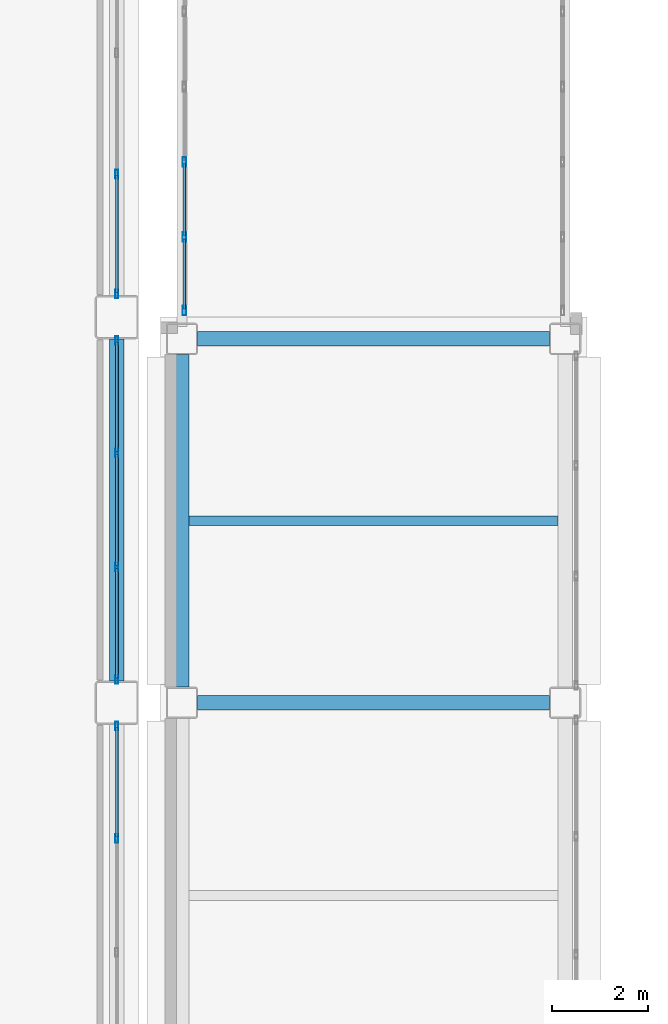
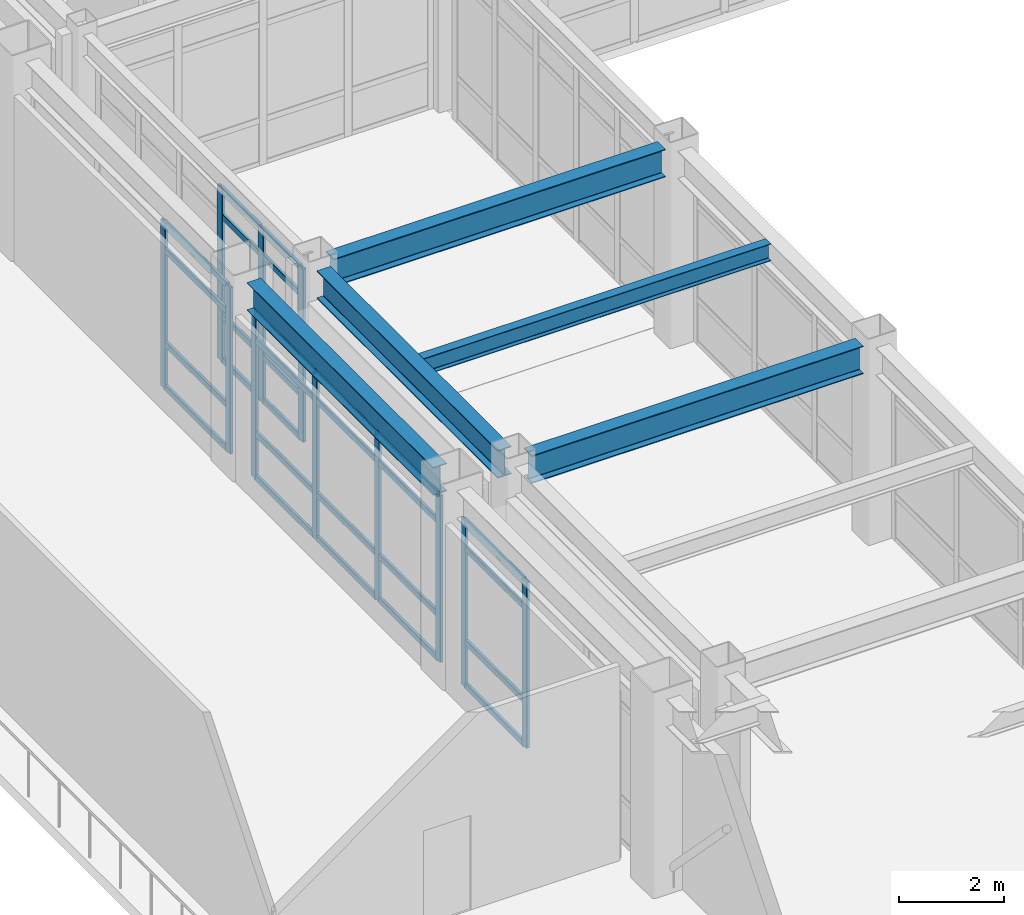
# One storey, part 64 of 172: 39 members, 5 beams, 4 elements without a shape of their own.
"""IFC4 building model written with IfcOpenShell, lengths in metres."""

from ifc_helpers import new_model, si_unit, direction, frame, origin, origin_2d, place, context, subcontext, project, spatial, hollow_rectangle, i_section, extrude, material, layer, layer_set, material_profile, profile_set, type_object, element, aggregate, save


model = new_model("IFC4")

# Units and contexts
model_context = context("Model", 3, precision=1e-05, world=origin(), true_north=direction((0.0, 1.0)))
body_context = subcontext(model_context, "Body", "Model", "MODEL_VIEW")
ifc_project = project(units=[si_unit("LENGTHUNIT", "METRE"), si_unit("AREAUNIT", "SQUARE_METRE"), si_unit("VOLUMEUNIT", "CUBIC_METRE"), si_unit("PLANEANGLEUNIT", "RADIAN"), si_unit("MASSUNIT", "GRAM", prefix="KILO")], contexts=[model_context])

# Site, building, storey
site_placement = place(None, origin())
site = spatial("IfcSite", under=ifc_project, at=site_placement, CompositionType="ELEMENT")
building_placement = place(site_placement, origin())
building = spatial("IfcBuilding", under=site, at=building_placement, Name="Kazehara Bluff Congress Hotel", CompositionType="ELEMENT")
storey_placement = place(building_placement, frame((0.0, 0.0, 5.39990234375)))
storey = spatial("IfcBuildingStorey", under=building, at=storey_placement, Name="L01", CompositionType="ELEMENT", Elevation=5.39990234375)

# Curtain wall, members
ifc_material_1 = material(Name="Anodised aluminium", Category="aluminium")
ifc_layer_1 = layer(ifc_material_1, 0.159912109375)
ifc_layer_set_1 = layer_set([ifc_layer_1], Name="Anodised aluminium")
curtain_wall_type_1 = type_object("IfcCurtainWallType", Name="TP-CW-20", PredefinedType="NOTDEFINED", material=ifc_layer_set_1)
curtain_wall_1_placement = place(storey_placement, origin())
curtain_wall_1 = element("IfcCurtainWall", 1, at=curtain_wall_1_placement, inside=storey, type_object=curtain_wall_type_1, Name="L01 curtain wall CW-20 CW-V1-L01-X5835-5690", PredefinedType="NOTDEFINED")
ifc_material_2 = material(Name="Anodised aluminium", Category="aluminium")
ifc_material_profile_1 = material_profile(ifc_material_2, hollow_rectangle(XDim=0.06494140625, YDim=0.179931640625, WallThickness=0.00390625, InnerFilletRadius=0.00390625, OuterFilletRadius=0.008056640625, at=origin_2d()))
ifc_profile_set_1 = profile_set([ifc_material_profile_1], Name="Anodised aluminium")
member_type_1 = type_object("IfcMemberType", Name="TP-CWM-02", PredefinedType="MULLION", material=ifc_profile_set_1)
member_1_placement = place(storey_placement, frame((58.35009765625, 61.63330078125, 0.0), z_axis=(0.0, 0.0, 1.0), x_axis=(-1.0, 0.0, 0.0)))
member_1 = element("IfcMember", 2, at=member_1_placement, type_object=member_type_1, Name="CW-20 mullion 3", PredefinedType="MULLION", context=body_context, shape_type="SweptSolid", body=[
    extrude(hollow_rectangle(XDim=0.06494140625, YDim=0.179931640625, WallThickness=0.00390625, InnerFilletRadius=0.00390625, OuterFilletRadius=0.008056640625, at=origin_2d()), origin(), (0.0, 0.0, 1.0), 3.875),
])
member_2_placement = place(storey_placement, frame((58.35009765625, 63.967529296875, 0.0), z_axis=(0.0, 0.0, 1.0), x_axis=(-1.0, 0.0, 0.0)))
member_2 = element("IfcMember", 3, at=member_2_placement, type_object=member_type_1, Name="CW-20 mullion 4", PredefinedType="MULLION", context=body_context, shape_type="SweptSolid", body=[
    extrude(hollow_rectangle(XDim=0.06494140625, YDim=0.179931640625, WallThickness=0.00390625, InnerFilletRadius=0.00390625, OuterFilletRadius=0.008056640625, at=origin_2d()), origin(), (0.0, 0.0, 1.0), 3.875),
])

curtain_wall_2_placement = place(storey_placement, origin())
curtain_wall_2 = element("IfcCurtainWall", 4, at=curtain_wall_2_placement, inside=storey, type_object=curtain_wall_type_1, Name="L01 curtain wall CW-20 CW-V1-L01-X5835-6490", PredefinedType="NOTDEFINED")
member_3_placement = place(storey_placement, frame((58.35009765625, 64.9326171875, 0.0), z_axis=(0.0, 0.0, 1.0), x_axis=(-1.0, 0.0, 0.0)))
member_3 = element("IfcMember", 5, at=member_3_placement, type_object=member_type_1, Name="CW-20 mullion 1", PredefinedType="MULLION", context=body_context, shape_type="SweptSolid", body=[
    extrude(hollow_rectangle(XDim=0.06494140625, YDim=0.179931640625, WallThickness=0.00390625, InnerFilletRadius=0.00390625, OuterFilletRadius=0.008056640625, at=origin_2d()), origin(), (0.0, 0.0, 1.0), 3.875),
])
member_4_placement = place(storey_placement, frame((58.35009765625, 67.2666015625, 0.0), z_axis=(0.0, 0.0, 1.0), x_axis=(-1.0, 0.0, 0.0)))
member_4 = element("IfcMember", 6, at=member_4_placement, type_object=member_type_1, Name="CW-20 mullion 2", PredefinedType="MULLION", context=body_context, shape_type="SweptSolid", body=[
    extrude(hollow_rectangle(XDim=0.06494140625, YDim=0.179931640625, WallThickness=0.00390625, InnerFilletRadius=0.00390625, OuterFilletRadius=0.008056640625, at=origin_2d()), origin(), (0.0, 0.0, 1.0), 3.875),
])
member_5_placement = place(storey_placement, frame((58.35009765625, 69.63330078125, 0.0), z_axis=(0.0, 0.0, 1.0), x_axis=(-1.0, 0.0, 0.0)))
member_5 = element("IfcMember", 7, at=member_5_placement, type_object=member_type_1, Name="CW-20 mullion 3", PredefinedType="MULLION", context=body_context, shape_type="SweptSolid", body=[
    extrude(hollow_rectangle(XDim=0.06494140625, YDim=0.179931640625, WallThickness=0.00390625, InnerFilletRadius=0.00390625, OuterFilletRadius=0.008056640625, at=origin_2d()), origin(), (0.0, 0.0, 1.0), 3.875),
])
member_6_placement = place(storey_placement, frame((58.35009765625, 71.967529296875, 0.0), z_axis=(0.0, 0.0, 1.0), x_axis=(-1.0, 0.0, 0.0)))
member_6 = element("IfcMember", 8, at=member_6_placement, type_object=member_type_1, Name="CW-20 mullion 4", PredefinedType="MULLION", context=body_context, shape_type="SweptSolid", body=[
    extrude(hollow_rectangle(XDim=0.06494140625, YDim=0.179931640625, WallThickness=0.00390625, InnerFilletRadius=0.00390625, OuterFilletRadius=0.008056640625, at=origin_2d()), origin(), (0.0, 0.0, 1.0), 3.875),
])

ifc_material_3 = material(Name="Anodised aluminium", Category="aluminium")
ifc_layer_2 = layer(ifc_material_3, 0.159912109375)
ifc_layer_set_2 = layer_set([ifc_layer_2], Name="Anodised aluminium")
curtain_wall_type_2 = type_object("IfcCurtainWallType", Name="TP-CW-21", PredefinedType="NOTDEFINED", material=ifc_layer_set_2)
curtain_wall_3_placement = place(storey_placement, origin())
curtain_wall_3 = element("IfcCurtainWall", 9, at=curtain_wall_3_placement, inside=storey, type_object=curtain_wall_type_2, Name="L01 curtain wall CW-21 CW-V1-L01-X5835-7290", PredefinedType="NOTDEFINED")
member_7_placement = place(storey_placement, frame((58.35009765625, 72.9326171875, 0.0), z_axis=(0.0, 0.0, 1.0), x_axis=(-1.0, 0.0, 0.0)))
member_7 = element("IfcMember", 10, at=member_7_placement, type_object=member_type_1, Name="CW-21 mullion 1", PredefinedType="MULLION", context=body_context, shape_type="SweptSolid", body=[
    extrude(hollow_rectangle(XDim=0.06494140625, YDim=0.179931640625, WallThickness=0.00390625, InnerFilletRadius=0.00390625, OuterFilletRadius=0.008056640625, at=origin_2d()), origin(), (0.0, 0.0, 1.0), 3.875),
])
member_8_placement = place(storey_placement, frame((58.35009765625, 75.416748046875, 0.0), z_axis=(0.0, 0.0, 1.0), x_axis=(-1.0, 0.0, 0.0)))
member_8 = element("IfcMember", 11, at=member_8_placement, type_object=member_type_1, Name="CW-21 mullion 2", PredefinedType="MULLION", context=body_context, shape_type="SweptSolid", body=[
    extrude(hollow_rectangle(XDim=0.06494140625, YDim=0.179931640625, WallThickness=0.00390625, InnerFilletRadius=0.00390625, OuterFilletRadius=0.008056640625, at=origin_2d()), origin(), (0.0, 0.0, 1.0), 3.875),
])

ifc_material_4 = material(Name="Anodised aluminium", Category="aluminium")
ifc_layer_3 = layer(ifc_material_4, 0.159912109375)
ifc_layer_set_3 = layer_set([ifc_layer_3], Name="Anodised aluminium")
curtain_wall_type_3 = type_object("IfcCurtainWallType", Name="TP-CW-02", PredefinedType="NOTDEFINED", material=ifc_layer_set_3)
curtain_wall_4_placement = place(storey_placement, origin())
curtain_wall_4 = element("IfcCurtainWall", 12, at=curtain_wall_4_placement, inside=storey, type_object=curtain_wall_type_3, Name="L01 curtain wall CW-02 CW-BRG-34-L01-A", PredefinedType="NOTDEFINED")
ifc_material_5 = material(Name="Anodised aluminium", Category="aluminium")
ifc_material_profile_2 = material_profile(ifc_material_5, hollow_rectangle(XDim=0.070068359375, YDim=0.199951171875, WallThickness=0.0048828125, InnerFilletRadius=0.0048828125, OuterFilletRadius=0.010009765625, at=origin_2d()))
ifc_profile_set_2 = profile_set([ifc_material_profile_2], Name="Anodised aluminium")
member_type_2 = type_object("IfcMemberType", Name="TP-CWM-03", PredefinedType="MULLION", material=ifc_profile_set_2)
member_9_placement = place(storey_placement, frame((59.75, 72.5849609375, 0.0), z_axis=(0.0, 0.0, 1.0), x_axis=(-1.0, 0.0, 0.0)))
member_9 = element("IfcMember", 13, at=member_9_placement, type_object=member_type_2, Name="CW-02 mullion 1", PredefinedType="MULLION", context=body_context, shape_type="SweptSolid", body=[
    extrude(hollow_rectangle(XDim=0.070068359375, YDim=0.199951171875, WallThickness=0.0048828125, InnerFilletRadius=0.0048828125, OuterFilletRadius=0.010009765625, at=origin_2d()), origin(), (0.0, 0.0, 1.0), 4.025146484375),
])
member_10_placement = place(storey_placement, frame((59.75, 74.110107421875, 0.0), z_axis=(0.0, 0.0, 1.0), x_axis=(-1.0, 0.0, 0.0)))
member_10 = element("IfcMember", 14, at=member_10_placement, type_object=member_type_2, Name="CW-02 mullion 2", PredefinedType="MULLION", context=body_context, shape_type="SweptSolid", body=[
    extrude(hollow_rectangle(XDim=0.070068359375, YDim=0.199951171875, WallThickness=0.0048828125, InnerFilletRadius=0.0048828125, OuterFilletRadius=0.010009765625, at=origin_2d()), origin(), (0.0, 0.0, 1.0), 4.025146484375),
])
member_11_placement = place(storey_placement, frame((59.75, 75.669921875, 0.0), z_axis=(0.0, 0.0, 1.0), x_axis=(-1.0, 0.0, 0.0)))
member_11 = element("IfcMember", 15, at=member_11_placement, type_object=member_type_2, Name="CW-02 mullion 3", PredefinedType="MULLION", context=body_context, shape_type="SweptSolid", body=[
    extrude(hollow_rectangle(XDim=0.070068359375, YDim=0.199951171875, WallThickness=0.0048828125, InnerFilletRadius=0.0048828125, OuterFilletRadius=0.010009765625, at=origin_2d()), origin(), (0.0, 0.0, 1.0), 4.025146484375),
])
ifc_material_6 = material(Name="Anodised aluminium", Category="aluminium")
ifc_material_profile_3 = material_profile(ifc_material_6, hollow_rectangle(XDim=0.06494140625, YDim=0.139892578125, WallThickness=0.00390625, InnerFilletRadius=0.00390625, OuterFilletRadius=0.008056640625, at=origin_2d()))
ifc_profile_set_3 = profile_set([ifc_material_profile_3], Name="Anodised aluminium")
member_type_3 = type_object("IfcMemberType", Name="TP-CWT-02", PredefinedType="USERDEFINED", material=ifc_profile_set_3)
member_12_placement = place(storey_placement, frame((59.75, 72.6201171875, 0.03271484375), z_axis=(0.0, 1.0, 0.0), x_axis=(-1.0, 0.0, 0.0)))
member_12 = element("IfcMember", 16, at=member_12_placement, type_object=member_type_3, Name="CW-02 transom 1.1", ObjectType="TRANSOM", PredefinedType="USERDEFINED", context=body_context, shape_type="SweptSolid", body=[
    extrude(hollow_rectangle(XDim=0.06494140625, YDim=0.139892578125, WallThickness=0.00390625, InnerFilletRadius=0.00390625, OuterFilletRadius=0.008056640625, at=origin_2d()), origin(), (0.0, 0.0, 1.0), 1.454833984375),
])
member_13_placement = place(storey_placement, frame((59.75, 72.6201171875, 1.050048828125), z_axis=(0.0, 1.0, 0.0), x_axis=(-1.0, 0.0, 0.0)))
member_13 = element("IfcMember", 17, at=member_13_placement, type_object=member_type_3, Name="CW-02 transom 1.2", ObjectType="TRANSOM", PredefinedType="USERDEFINED", context=body_context, shape_type="SweptSolid", body=[
    extrude(hollow_rectangle(XDim=0.06494140625, YDim=0.139892578125, WallThickness=0.00390625, InnerFilletRadius=0.00390625, OuterFilletRadius=0.008056640625, at=origin_2d()), origin(), (0.0, 0.0, 1.0), 1.454833984375),
])
member_14_placement = place(storey_placement, frame((59.75, 72.6201171875, 3.375), z_axis=(0.0, 1.0, 0.0), x_axis=(-1.0, 0.0, 0.0)))
member_14 = element("IfcMember", 18, at=member_14_placement, type_object=member_type_3, Name="CW-02 transom 1.3", ObjectType="TRANSOM", PredefinedType="USERDEFINED", context=body_context, shape_type="SweptSolid", body=[
    extrude(hollow_rectangle(XDim=0.06494140625, YDim=0.139892578125, WallThickness=0.00390625, InnerFilletRadius=0.00390625, OuterFilletRadius=0.008056640625, at=origin_2d()), origin(), (0.0, 0.0, 1.0), 1.454833984375),
])
member_15_placement = place(storey_placement, frame((59.75, 72.6201171875, 3.99267578125), z_axis=(0.0, 1.0, 0.0), x_axis=(-1.0, 0.0, 0.0)))
member_15 = element("IfcMember", 19, at=member_15_placement, type_object=member_type_3, Name="CW-02 transom 1.4", ObjectType="TRANSOM", PredefinedType="USERDEFINED", context=body_context, shape_type="SweptSolid", body=[
    extrude(hollow_rectangle(XDim=0.06494140625, YDim=0.139892578125, WallThickness=0.00390625, InnerFilletRadius=0.00390625, OuterFilletRadius=0.008056640625, at=origin_2d()), origin(), (0.0, 0.0, 1.0), 1.454833984375),
])
member_16_placement = place(storey_placement, frame((59.75, 74.14501953125, 0.03271484375), z_axis=(0.0, 1.0, 0.0), x_axis=(-1.0, 0.0, 0.0)))
member_16 = element("IfcMember", 20, at=member_16_placement, type_object=member_type_3, Name="CW-02 transom 2.1", ObjectType="TRANSOM", PredefinedType="USERDEFINED", context=body_context, shape_type="SweptSolid", body=[
    extrude(hollow_rectangle(XDim=0.06494140625, YDim=0.139892578125, WallThickness=0.00390625, InnerFilletRadius=0.00390625, OuterFilletRadius=0.008056640625, at=origin_2d()), origin(), (0.0, 0.0, 1.0), 1.489990234375),
])
member_17_placement = place(storey_placement, frame((59.75, 74.14501953125, 1.050048828125), z_axis=(0.0, 1.0, 0.0), x_axis=(-1.0, 0.0, 0.0)))
member_17 = element("IfcMember", 21, at=member_17_placement, type_object=member_type_3, Name="CW-02 transom 2.2", ObjectType="TRANSOM", PredefinedType="USERDEFINED", context=body_context, shape_type="SweptSolid", body=[
    extrude(hollow_rectangle(XDim=0.06494140625, YDim=0.139892578125, WallThickness=0.00390625, InnerFilletRadius=0.00390625, OuterFilletRadius=0.008056640625, at=origin_2d()), origin(), (0.0, 0.0, 1.0), 1.489990234375),
])
member_18_placement = place(storey_placement, frame((59.75, 74.14501953125, 3.375), z_axis=(0.0, 1.0, 0.0), x_axis=(-1.0, 0.0, 0.0)))
member_18 = element("IfcMember", 22, at=member_18_placement, type_object=member_type_3, Name="CW-02 transom 2.3", ObjectType="TRANSOM", PredefinedType="USERDEFINED", context=body_context, shape_type="SweptSolid", body=[
    extrude(hollow_rectangle(XDim=0.06494140625, YDim=0.139892578125, WallThickness=0.00390625, InnerFilletRadius=0.00390625, OuterFilletRadius=0.008056640625, at=origin_2d()), origin(), (0.0, 0.0, 1.0), 1.489990234375),
])
member_19_placement = place(storey_placement, frame((59.75, 74.14501953125, 3.99267578125), z_axis=(0.0, 1.0, 0.0), x_axis=(-1.0, 0.0, 0.0)))
member_19 = element("IfcMember", 23, at=member_19_placement, type_object=member_type_3, Name="CW-02 transom 2.4", ObjectType="TRANSOM", PredefinedType="USERDEFINED", context=body_context, shape_type="SweptSolid", body=[
    extrude(hollow_rectangle(XDim=0.06494140625, YDim=0.139892578125, WallThickness=0.00390625, InnerFilletRadius=0.00390625, OuterFilletRadius=0.008056640625, at=origin_2d()), origin(), (0.0, 0.0, 1.0), 1.489990234375),
])
aggregate(curtain_wall_4, [member_9, member_10, member_11, member_12, member_13, member_14, member_15, member_16, member_17, member_18, member_19])

# Member
member_20_placement = place(storey_placement, frame((58.35009765625, 61.665771484375, 0.03271484375), z_axis=(0.0, 1.0, 0.0), x_axis=(-1.0, 0.0, 0.0)))
member_20 = element("IfcMember", 24, at=member_20_placement, type_object=member_type_3, Name="CW-20 transom 3.1", ObjectType="TRANSOM", PredefinedType="USERDEFINED", context=body_context, shape_type="SweptSolid", body=[
    extrude(hollow_rectangle(XDim=0.06494140625, YDim=0.139892578125, WallThickness=0.00390625, InnerFilletRadius=0.00390625, OuterFilletRadius=0.008056640625, at=origin_2d()), origin(), (0.0, 0.0, 1.0), 2.269287109375),
])

member_21_placement = place(storey_placement, frame((58.35009765625, 61.665771484375, 1.050048828125), z_axis=(0.0, 1.0, 0.0), x_axis=(-1.0, 0.0, 0.0)))
member_21 = element("IfcMember", 25, at=member_21_placement, type_object=member_type_3, Name="CW-20 transom 3.2", ObjectType="TRANSOM", PredefinedType="USERDEFINED", context=body_context, shape_type="SweptSolid", body=[
    extrude(hollow_rectangle(XDim=0.06494140625, YDim=0.139892578125, WallThickness=0.00390625, InnerFilletRadius=0.00390625, OuterFilletRadius=0.008056640625, at=origin_2d()), origin(), (0.0, 0.0, 1.0), 2.269287109375),
])

member_22_placement = place(storey_placement, frame((58.35009765625, 61.665771484375, 3.22509765625), z_axis=(0.0, 1.0, 0.0), x_axis=(-1.0, 0.0, 0.0)))
member_22 = element("IfcMember", 26, at=member_22_placement, type_object=member_type_3, Name="CW-20 transom 3.3", ObjectType="TRANSOM", PredefinedType="USERDEFINED", context=body_context, shape_type="SweptSolid", body=[
    extrude(hollow_rectangle(XDim=0.06494140625, YDim=0.139892578125, WallThickness=0.00390625, InnerFilletRadius=0.00390625, OuterFilletRadius=0.008056640625, at=origin_2d()), origin(), (0.0, 0.0, 1.0), 2.269287109375),
])

member_23_placement = place(storey_placement, frame((58.35009765625, 61.665771484375, 3.842529296875), z_axis=(0.0, 1.0, 0.0), x_axis=(-1.0, 0.0, 0.0)))
member_23 = element("IfcMember", 27, at=member_23_placement, type_object=member_type_3, Name="CW-20 transom 3.4", ObjectType="TRANSOM", PredefinedType="USERDEFINED", context=body_context, shape_type="SweptSolid", body=[
    extrude(hollow_rectangle(XDim=0.06494140625, YDim=0.139892578125, WallThickness=0.00390625, InnerFilletRadius=0.00390625, OuterFilletRadius=0.008056640625, at=origin_2d()), origin(), (0.0, 0.0, 1.0), 2.269287109375),
])

aggregate(curtain_wall_1, [member_1, member_2, member_20, member_21, member_22, member_23])

member_24_placement = place(storey_placement, frame((58.35009765625, 64.965087890625, 0.03271484375), z_axis=(0.0, 1.0, 0.0), x_axis=(-1.0, 0.0, 0.0)))
member_24 = element("IfcMember", 28, at=member_24_placement, type_object=member_type_3, Name="CW-20 transom 1.1", ObjectType="TRANSOM", PredefinedType="USERDEFINED", context=body_context, shape_type="SweptSolid", body=[
    extrude(hollow_rectangle(XDim=0.06494140625, YDim=0.139892578125, WallThickness=0.00390625, InnerFilletRadius=0.00390625, OuterFilletRadius=0.008056640625, at=origin_2d()), origin(), (0.0, 0.0, 1.0), 2.26904296875),
])

member_25_placement = place(storey_placement, frame((58.35009765625, 64.965087890625, 1.050048828125), z_axis=(0.0, 1.0, 0.0), x_axis=(-1.0, 0.0, 0.0)))
member_25 = element("IfcMember", 29, at=member_25_placement, type_object=member_type_3, Name="CW-20 transom 1.2", ObjectType="TRANSOM", PredefinedType="USERDEFINED", context=body_context, shape_type="SweptSolid", body=[
    extrude(hollow_rectangle(XDim=0.06494140625, YDim=0.139892578125, WallThickness=0.00390625, InnerFilletRadius=0.00390625, OuterFilletRadius=0.008056640625, at=origin_2d()), origin(), (0.0, 0.0, 1.0), 2.26904296875),
])

member_26_placement = place(storey_placement, frame((58.35009765625, 64.965087890625, 3.22509765625), z_axis=(0.0, 1.0, 0.0), x_axis=(-1.0, 0.0, 0.0)))
member_26 = element("IfcMember", 30, at=member_26_placement, type_object=member_type_3, Name="CW-20 transom 1.3", ObjectType="TRANSOM", PredefinedType="USERDEFINED", context=body_context, shape_type="SweptSolid", body=[
    extrude(hollow_rectangle(XDim=0.06494140625, YDim=0.139892578125, WallThickness=0.00390625, InnerFilletRadius=0.00390625, OuterFilletRadius=0.008056640625, at=origin_2d()), origin(), (0.0, 0.0, 1.0), 2.26904296875),
])

member_27_placement = place(storey_placement, frame((58.35009765625, 64.965087890625, 3.842529296875), z_axis=(0.0, 1.0, 0.0), x_axis=(-1.0, 0.0, 0.0)))
member_27 = element("IfcMember", 31, at=member_27_placement, type_object=member_type_3, Name="CW-20 transom 1.4", ObjectType="TRANSOM", PredefinedType="USERDEFINED", context=body_context, shape_type="SweptSolid", body=[
    extrude(hollow_rectangle(XDim=0.06494140625, YDim=0.139892578125, WallThickness=0.00390625, InnerFilletRadius=0.00390625, OuterFilletRadius=0.008056640625, at=origin_2d()), origin(), (0.0, 0.0, 1.0), 2.26904296875),
])

member_28_placement = place(storey_placement, frame((58.35009765625, 67.299072265625, 0.03271484375), z_axis=(0.0, 1.0, 0.0), x_axis=(-1.0, 0.0, 0.0)))
member_28 = element("IfcMember", 32, at=member_28_placement, type_object=member_type_3, Name="CW-20 transom 2.1", ObjectType="TRANSOM", PredefinedType="USERDEFINED", context=body_context, shape_type="SweptSolid", body=[
    extrude(hollow_rectangle(XDim=0.06494140625, YDim=0.139892578125, WallThickness=0.00390625, InnerFilletRadius=0.00390625, OuterFilletRadius=0.008056640625, at=origin_2d()), origin(), (0.0, 0.0, 1.0), 2.3017578125),
])

member_29_placement = place(storey_placement, frame((58.35009765625, 67.299072265625, 1.050048828125), z_axis=(0.0, 1.0, 0.0), x_axis=(-1.0, 0.0, 0.0)))
member_29 = element("IfcMember", 33, at=member_29_placement, type_object=member_type_3, Name="CW-20 transom 2.2", ObjectType="TRANSOM", PredefinedType="USERDEFINED", context=body_context, shape_type="SweptSolid", body=[
    extrude(hollow_rectangle(XDim=0.06494140625, YDim=0.139892578125, WallThickness=0.00390625, InnerFilletRadius=0.00390625, OuterFilletRadius=0.008056640625, at=origin_2d()), origin(), (0.0, 0.0, 1.0), 2.3017578125),
])

member_30_placement = place(storey_placement, frame((58.35009765625, 67.299072265625, 3.22509765625), z_axis=(0.0, 1.0, 0.0), x_axis=(-1.0, 0.0, 0.0)))
member_30 = element("IfcMember", 34, at=member_30_placement, type_object=member_type_3, Name="CW-20 transom 2.3", ObjectType="TRANSOM", PredefinedType="USERDEFINED", context=body_context, shape_type="SweptSolid", body=[
    extrude(hollow_rectangle(XDim=0.06494140625, YDim=0.139892578125, WallThickness=0.00390625, InnerFilletRadius=0.00390625, OuterFilletRadius=0.008056640625, at=origin_2d()), origin(), (0.0, 0.0, 1.0), 2.3017578125),
])

member_31_placement = place(storey_placement, frame((58.35009765625, 67.299072265625, 3.842529296875), z_axis=(0.0, 1.0, 0.0), x_axis=(-1.0, 0.0, 0.0)))
member_31 = element("IfcMember", 35, at=member_31_placement, type_object=member_type_3, Name="CW-20 transom 2.4", ObjectType="TRANSOM", PredefinedType="USERDEFINED", context=body_context, shape_type="SweptSolid", body=[
    extrude(hollow_rectangle(XDim=0.06494140625, YDim=0.139892578125, WallThickness=0.00390625, InnerFilletRadius=0.00390625, OuterFilletRadius=0.008056640625, at=origin_2d()), origin(), (0.0, 0.0, 1.0), 2.3017578125),
])

member_32_placement = place(storey_placement, frame((58.35009765625, 69.665771484375, 0.03271484375), z_axis=(0.0, 1.0, 0.0), x_axis=(-1.0, 0.0, 0.0)))
member_32 = element("IfcMember", 36, at=member_32_placement, type_object=member_type_3, Name="CW-20 transom 3.1", ObjectType="TRANSOM", PredefinedType="USERDEFINED", context=body_context, shape_type="SweptSolid", body=[
    extrude(hollow_rectangle(XDim=0.06494140625, YDim=0.139892578125, WallThickness=0.00390625, InnerFilletRadius=0.00390625, OuterFilletRadius=0.008056640625, at=origin_2d()), origin(), (0.0, 0.0, 1.0), 2.269287109375),
])

member_33_placement = place(storey_placement, frame((58.35009765625, 69.665771484375, 1.050048828125), z_axis=(0.0, 1.0, 0.0), x_axis=(-1.0, 0.0, 0.0)))
member_33 = element("IfcMember", 37, at=member_33_placement, type_object=member_type_3, Name="CW-20 transom 3.2", ObjectType="TRANSOM", PredefinedType="USERDEFINED", context=body_context, shape_type="SweptSolid", body=[
    extrude(hollow_rectangle(XDim=0.06494140625, YDim=0.139892578125, WallThickness=0.00390625, InnerFilletRadius=0.00390625, OuterFilletRadius=0.008056640625, at=origin_2d()), origin(), (0.0, 0.0, 1.0), 2.269287109375),
])

member_34_placement = place(storey_placement, frame((58.35009765625, 69.665771484375, 3.22509765625), z_axis=(0.0, 1.0, 0.0), x_axis=(-1.0, 0.0, 0.0)))
member_34 = element("IfcMember", 38, at=member_34_placement, type_object=member_type_3, Name="CW-20 transom 3.3", ObjectType="TRANSOM", PredefinedType="USERDEFINED", context=body_context, shape_type="SweptSolid", body=[
    extrude(hollow_rectangle(XDim=0.06494140625, YDim=0.139892578125, WallThickness=0.00390625, InnerFilletRadius=0.00390625, OuterFilletRadius=0.008056640625, at=origin_2d()), origin(), (0.0, 0.0, 1.0), 2.269287109375),
])

member_35_placement = place(storey_placement, frame((58.35009765625, 69.665771484375, 3.842529296875), z_axis=(0.0, 1.0, 0.0), x_axis=(-1.0, 0.0, 0.0)))
member_35 = element("IfcMember", 39, at=member_35_placement, type_object=member_type_3, Name="CW-20 transom 3.4", ObjectType="TRANSOM", PredefinedType="USERDEFINED", context=body_context, shape_type="SweptSolid", body=[
    extrude(hollow_rectangle(XDim=0.06494140625, YDim=0.139892578125, WallThickness=0.00390625, InnerFilletRadius=0.00390625, OuterFilletRadius=0.008056640625, at=origin_2d()), origin(), (0.0, 0.0, 1.0), 2.269287109375),
])

aggregate(curtain_wall_2, [member_3, member_4, member_5, member_6, member_24, member_25, member_26, member_27, member_28, member_29, member_30, member_31, member_32, member_33, member_34, member_35])

member_36_placement = place(storey_placement, frame((58.35009765625, 72.965087890625, 0.03271484375), z_axis=(0.0, 1.0, 0.0), x_axis=(-1.0, 0.0, 0.0)))
member_36 = element("IfcMember", 40, at=member_36_placement, type_object=member_type_3, Name="CW-21 transom 1.1", ObjectType="TRANSOM", PredefinedType="USERDEFINED", context=body_context, shape_type="SweptSolid", body=[
    extrude(hollow_rectangle(XDim=0.06494140625, YDim=0.139892578125, WallThickness=0.00390625, InnerFilletRadius=0.00390625, OuterFilletRadius=0.008056640625, at=origin_2d()), origin(), (0.0, 0.0, 1.0), 2.419189453125),
])

member_37_placement = place(storey_placement, frame((58.35009765625, 72.965087890625, 1.050048828125), z_axis=(0.0, 1.0, 0.0), x_axis=(-1.0, 0.0, 0.0)))
member_37 = element("IfcMember", 41, at=member_37_placement, type_object=member_type_3, Name="CW-21 transom 1.2", ObjectType="TRANSOM", PredefinedType="USERDEFINED", context=body_context, shape_type="SweptSolid", body=[
    extrude(hollow_rectangle(XDim=0.06494140625, YDim=0.139892578125, WallThickness=0.00390625, InnerFilletRadius=0.00390625, OuterFilletRadius=0.008056640625, at=origin_2d()), origin(), (0.0, 0.0, 1.0), 2.419189453125),
])

member_38_placement = place(storey_placement, frame((58.35009765625, 72.965087890625, 3.22509765625), z_axis=(0.0, 1.0, 0.0), x_axis=(-1.0, 0.0, 0.0)))
member_38 = element("IfcMember", 42, at=member_38_placement, type_object=member_type_3, Name="CW-21 transom 1.3", ObjectType="TRANSOM", PredefinedType="USERDEFINED", context=body_context, shape_type="SweptSolid", body=[
    extrude(hollow_rectangle(XDim=0.06494140625, YDim=0.139892578125, WallThickness=0.00390625, InnerFilletRadius=0.00390625, OuterFilletRadius=0.008056640625, at=origin_2d()), origin(), (0.0, 0.0, 1.0), 2.419189453125),
])

member_39_placement = place(storey_placement, frame((58.35009765625, 72.965087890625, 3.842529296875), z_axis=(0.0, 1.0, 0.0), x_axis=(-1.0, 0.0, 0.0)))
member_39 = element("IfcMember", 43, at=member_39_placement, type_object=member_type_3, Name="CW-21 transom 1.4", ObjectType="TRANSOM", PredefinedType="USERDEFINED", context=body_context, shape_type="SweptSolid", body=[
    extrude(hollow_rectangle(XDim=0.06494140625, YDim=0.139892578125, WallThickness=0.00390625, InnerFilletRadius=0.00390625, OuterFilletRadius=0.008056640625, at=origin_2d()), origin(), (0.0, 0.0, 1.0), 2.419189453125),
])

aggregate(curtain_wall_3, [member_7, member_8, member_36, member_37, member_38, member_39])

# Beams
ifc_material_7 = material(Name="Steel SN490B", Category="steel")
ifc_material_profile_4 = material_profile(ifc_material_7, i_section(OverallWidth=0.300048828125, OverallDepth=0.64990234375, WebThickness=0.011962890625, FlangeThickness=0.02001953125, FilletRadius=0.012939453125, at=origin_2d()))
ifc_profile_set_4 = profile_set([ifc_material_profile_4], Name="Steel SN490B")
beam_type_1 = type_object("IfcBeamType", Name="TP-G-03", PredefinedType="BEAM", material=ifc_profile_set_4)
beam_1_placement = place(storey_placement, frame((58.35009765625, 64.89990234375, 4.22509765625), z_axis=(0.0, 1.0, 0.0), x_axis=(-1.0, 0.0, 0.0)))
element("IfcBeam", 44, at=beam_1_placement, inside=storey, type_object=beam_type_1, Name="L01 girder G-03 19", PredefinedType="BEAM", context=body_context, shape_type="SweptSolid", body=[
    extrude(i_section(OverallWidth=0.300048828125, OverallDepth=0.64990234375, WebThickness=0.011962890625, FlangeThickness=0.02001953125, FilletRadius=0.012939453125, at=origin_2d()), origin(), (0.0, 0.0, 1.0), 7.10009765625),
])
beam_2_placement = place(storey_placement, frame((59.699951171875, 64.77490234375, 4.22509765625), z_axis=(0.0, 1.0, 0.0), x_axis=(-1.0, 0.0, 0.0)))
element("IfcBeam", 45, at=beam_2_placement, inside=storey, type_object=beam_type_1, Name="L01 girder G-03 154", PredefinedType="BEAM", context=body_context, shape_type="SweptSolid", body=[
    extrude(i_section(OverallWidth=0.300048828125, OverallDepth=0.64990234375, WebThickness=0.011962890625, FlangeThickness=0.02001953125, FilletRadius=0.012939453125, at=origin_2d()), origin(), (0.0, 0.0, 1.0), 6.900146484375),
])
for number, where, z_axis, x_axis, name in (
    (46, (60.02490234375, 64.449951171875, 4.22509765625), (1.0, 0.0, 0.0), (0.0, 1.0, 0.0), "L01 girder G-03 219"),
    (47, (60.02490234375, 72.0, 4.22509765625), (1.0, 0.0, 0.0), (0.0, 1.0, 0.0), "L01 girder G-03 220"),
):
    element("IfcBeam", number, at=place(storey_placement, frame(where, z_axis=z_axis, x_axis=x_axis)), inside=storey, type_object=beam_type_1, Name=name, PredefinedType="BEAM", context=body_context, shape_type="SweptSolid", body=[
        extrude(i_section(OverallWidth=0.300048828125, OverallDepth=0.64990234375, WebThickness=0.011962890625, FlangeThickness=0.02001953125, FilletRadius=0.012939453125, at=origin_2d()), origin(), (0.0, 0.0, 1.0), 7.300048828125),
    ])
ifc_material_8 = material(Name="Steel SN400B", Category="steel")
ifc_material_profile_5 = material_profile(ifc_material_8, i_section(OverallWidth=0.199951171875, OverallDepth=0.39990234375, WebThickness=0.008056640625, FlangeThickness=0.012939453125, FilletRadius=0.012939453125, at=origin_2d()))
ifc_profile_set_5 = profile_set([ifc_material_profile_5], Name="Steel SN400B")
beam_type_2 = type_object("IfcBeamType", Name="TP-J-03", PredefinedType="JOIST", material=ifc_profile_set_5)
beam_3_placement = place(storey_placement, frame((59.85009765625, 68.22509765625, 4.35009765625), z_axis=(1.0, 0.0, 0.0), x_axis=(0.0, 1.0, 0.0)))
element("IfcBeam", 48, at=beam_3_placement, inside=storey, type_object=beam_type_2, Name="L01 secondary joist J-03 38", PredefinedType="JOIST", context=body_context, shape_type="SweptSolid", body=[
    extrude(i_section(OverallWidth=0.199951171875, OverallDepth=0.39990234375, WebThickness=0.008056640625, FlangeThickness=0.012939453125, FilletRadius=0.012939453125, at=origin_2d()), origin(), (0.0, 0.0, 1.0), 7.64990234375),
])

save(model, "model.ifc")
